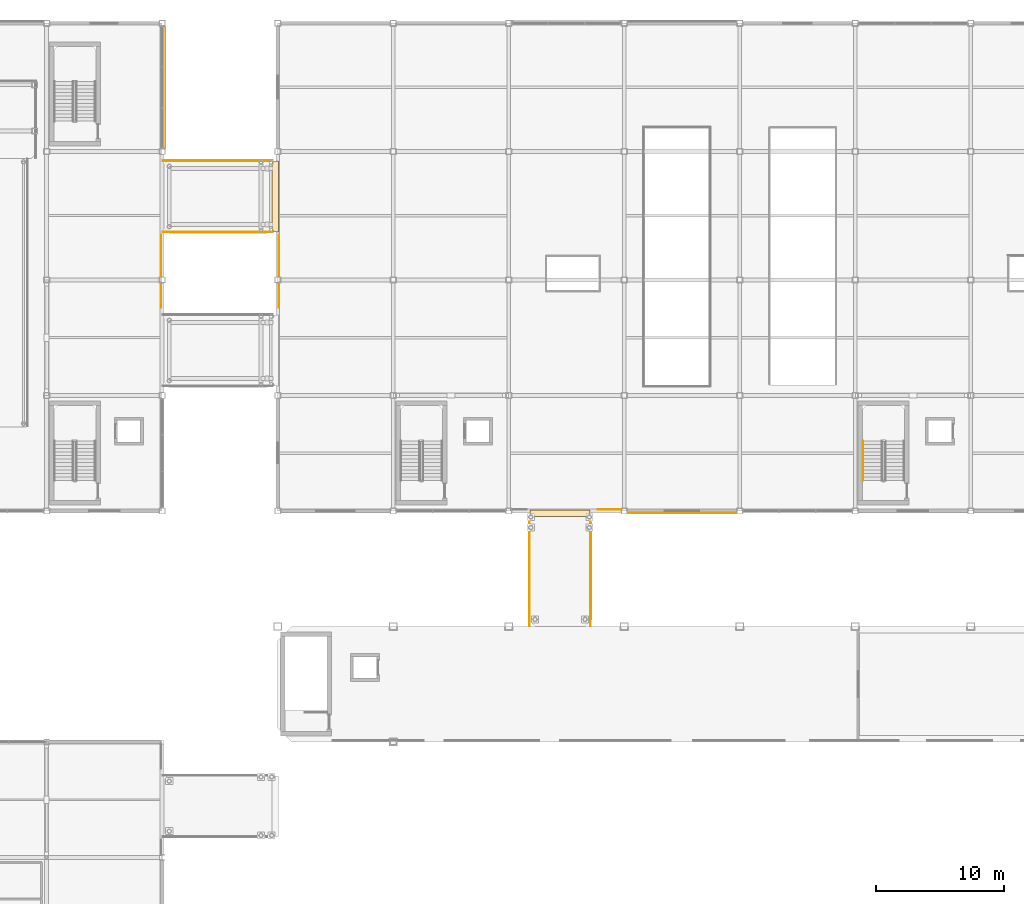
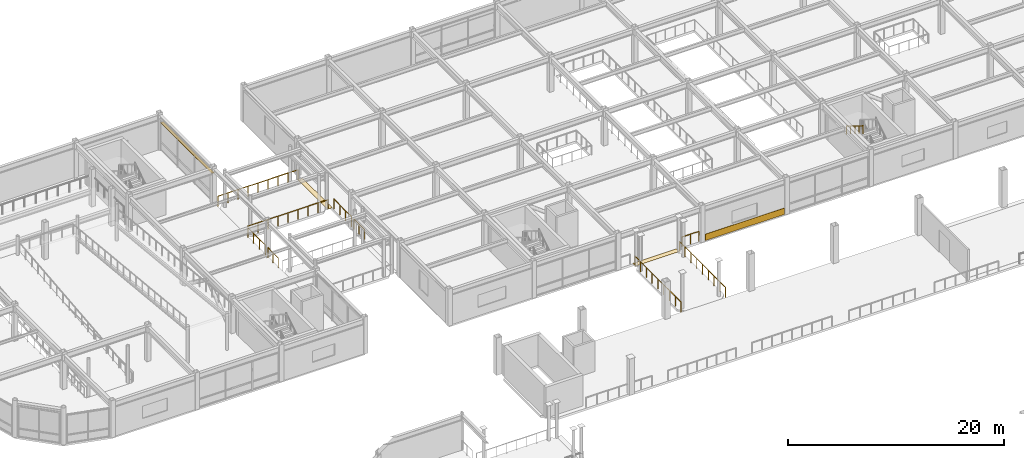
# One storey, part 96 of 105: 10 railings, 3 coverings, 1 shading device.
"""IFC4 building model written with IfcOpenShell, lengths in metres."""

from ifc_helpers import new_model, si_unit, direction, frame, origin, origin_2d, place, context, subcontext, project, spatial, polyline, rectangle, circle, outline, extrude, material, layer, layer_set, material_profile, profile_set, type_object, element, save


model = new_model("IFC4")

# Units and contexts
model_context = context("Model", 3, precision=1e-05, world=origin(), true_north=direction((0.0, 1.0)))
body_context = subcontext(model_context, "Body", "Model", "MODEL_VIEW")
ifc_project = project(units=[si_unit("LENGTHUNIT", "METRE"), si_unit("AREAUNIT", "SQUARE_METRE"), si_unit("VOLUMEUNIT", "CUBIC_METRE"), si_unit("PLANEANGLEUNIT", "RADIAN"), si_unit("MASSUNIT", "GRAM", prefix="KILO")], contexts=[model_context])

# Site, building, storey
site_placement = place(None, origin())
site = spatial("IfcSite", under=ifc_project, at=site_placement, CompositionType="ELEMENT")
building_placement = place(site_placement, origin())
building = spatial("IfcBuilding", under=site, at=building_placement, Name="Suzunagisa Mobility Hub", CompositionType="ELEMENT")
storey_placement = place(building_placement, frame((0.0, 0.0, 5.10009765625)))
storey = spatial("IfcBuildingStorey", under=building, at=storey_placement, Name="L01", CompositionType="ELEMENT", Elevation=5.10009765625)

# Coverings
ifc_material_1 = material(Name="Polished Aggregate Terrazzo Finish")
ifc_layer_1 = layer(ifc_material_1, 0.02001953125)
ifc_layer_set_1 = layer_set([ifc_layer_1], Name="Polished Aggregate Terrazzo Finish")
covering_type_1 = type_object("IfcCoveringType", Name="Polished Terrazzo Heavy-Traffic Flooring FLR-01", PredefinedType="FLOORING", material=ifc_layer_set_1)
covering_1_placement = place(storey_placement, frame((0.0, 0.0, -0.02001953125)))
element("IfcCovering", 1, at=covering_1_placement, inside=storey, type_object=covering_type_1, Name="L01 Flush Hinged Seismic Threshold Plate SB-02", PredefinedType="FLOORING", context=body_context, shape_type="SweptSolid", body=[
    extrude(outline(polyline([(64.64990234375, 79.570068359375), (69.35009765625, 79.570068359375), (69.35009765625, 80.080078125), (64.64990234375, 80.080078125), (64.64990234375, 79.570068359375)])), origin(), (0.0, 0.0, 1.0), 0.02001953125),
])
covering_2_placement = place(storey_placement, frame((0.0, 0.0, -0.02001953125)))
element("IfcCovering", 2, at=covering_2_placement, inside=storey, type_object=covering_type_1, Name="L01 Flush Hinged Seismic Threshold Plate VRL-L01-N", PredefinedType="FLOORING", context=body_context, shape_type="SweptSolid", body=[
    extrude(outline(polyline([(44.570068359375, 101.75), (45.080078125, 101.75), (45.080078125, 107.25), (44.570068359375, 107.25), (44.570068359375, 101.75)])), origin(), (0.0, 0.0, 1.0), 0.02001953125),
])
ifc_material_2 = material(Name="Vitreous Porcelain Enamel Aluminum Cladding", Category="aluminium")
ifc_layer_2 = layer(ifc_material_2, 0.034912109375)
ifc_layer_set_2 = layer_set([ifc_layer_2], Name="Vitreous Porcelain Enamel Aluminum Cladding")
covering_type_2 = type_object("IfcCoveringType", Name="Porcelain Enamel Spandrel Cladding Band CLD-01", PredefinedType="CLADDING", material=ifc_layer_set_2)
covering_3_placement = place(storey_placement, frame((76.5, 79.83251953125, 0.06005859375), z_axis=(0.0, 0.0, 1.0), x_axis=(1.0, 0.0, 0.0)))
element("IfcCovering", 3, at=covering_3_placement, inside=storey, type_object=covering_type_2, Name="L01 Porcelain Spandrel Cladding Band CLD-16", PredefinedType="CLADDING", context=body_context, shape_type="SweptSolid", body=[
    extrude(rectangle(XDim=8.449951171875, YDim=0.034912109375, at=origin_2d()), origin(), (0.0, 0.0, 1.0), 0.719970703125),
])

# Shading device
ifc_material_3 = material(Name="Fluoropolymer-Coated Extruded Aluminum 6063-T5", Category="aluminium")
ifc_material_profile = material_profile(ifc_material_3, rectangle(XDim=0.280029296875, YDim=0.044921875, at=origin_2d()), Name="FIN-280x45")
ifc_profile_set = profile_set([ifc_material_profile], Name="Fluoropolymer-Coated Extruded Aluminum 6063-T5")
shading_device_type = type_object("IfcShadingDeviceType", Name="Streamline Aluminum Sunshade SF-03 FIN-280x45", PredefinedType="USERDEFINED", material=ifc_profile_set)
shading_device_placement = place(storey_placement, frame((36.107421875, 108.2548828125, 3.099853515625), z_axis=(0.0, 1.0, 0.0), x_axis=(-1.0, 0.0, 0.0)))
element("IfcShadingDevice", 4, at=shading_device_placement, inside=storey, type_object=shading_device_type, Name="L01 Streamline Speed-Rail Sunshade Fin SF-13", ObjectType="SUNSHADE FIN", PredefinedType="USERDEFINED", context=body_context, shape_type="SweptSolid", body=[
    extrude(rectangle(XDim=0.280029296875, YDim=0.044921875, at=origin_2d()), origin(), (0.0, 0.0, 1.0), 9.490234375),
])

# Railings
ifc_material_4 = material(Name="Anodized Aluminum and Stainless Steel SUS316", Category="metal")
railing_type_1 = type_object("IfcRailingType", Name="Streamline Ship-Deck Tubular Balustrade BL-01", PredefinedType="BALUSTRADE", material=ifc_material_4)
railing_1_placement = place(storey_placement, frame((35.89990234375, 95.85009765625, 0.0)))
element("IfcRailing", 5, at=railing_1_placement, inside=storey, type_object=railing_type_1, Name="L01 Skybridge Threshold Side Guardrail BSG-3", PredefinedType="BALUSTRADE", context=body_context, shape_type="SweptSolid", body=[
    extrude(circle(Radius=0.02392578125, at=origin_2d()), frame((0.0, 0.0, 1.11572265625), z_axis=(0.0, 1.0, 0.0), x_axis=(-1.0, 0.0, 0.0)), (0.0, 0.0, 1.0), 1.9248046875),
    extrude(circle(Radius=0.02099609375, at=origin_2d()), origin(), (0.0, 0.0, 1.0), 1.091796875),
    extrude(circle(Radius=0.02099609375, at=origin_2d()), frame((0.0, 0.96240234375, 0.0)), (0.0, 0.0, 1.0), 1.091796875),
    extrude(circle(Radius=0.02099609375, at=origin_2d()), frame((0.0, 1.9248046875, 0.0)), (0.0, 0.0, 1.0), 1.091796875),
])
railing_2_placement = place(storey_placement, frame((35.89990234375, 98.22509765625, 0.0)))
element("IfcRailing", 6, at=railing_2_placement, inside=storey, type_object=railing_type_1, Name="L01 Skybridge Threshold Side Guardrail BSG-4", PredefinedType="BALUSTRADE", context=body_context, shape_type="SweptSolid", body=[
    extrude(circle(Radius=0.02392578125, at=origin_2d()), frame((0.0, 0.0, 1.11572265625), z_axis=(0.0, 1.0, 0.0), x_axis=(-1.0, 0.0, 0.0)), (0.0, 0.0, 1.0), 3.2548828125),
    extrude(circle(Radius=0.02099609375, at=origin_2d()), origin(), (0.0, 0.0, 1.0), 1.091796875),
    extrude(circle(Radius=0.02099609375, at=origin_2d()), frame((0.0, 1.0849609375, 0.0)), (0.0, 0.0, 1.0), 1.091796875),
    extrude(circle(Radius=0.02099609375, at=origin_2d()), frame((0.0, 2.169921875, 0.0)), (0.0, 0.0, 1.0), 1.091796875),
    extrude(circle(Radius=0.02099609375, at=origin_2d()), frame((0.0, 3.2548828125, 0.0)), (0.0, 0.0, 1.0), 1.091796875),
])
railing_3_placement = place(storey_placement, frame((69.949951171875, 80.10009765625, 0.0)))
element("IfcRailing", 7, at=railing_3_placement, inside=storey, type_object=railing_type_1, Name="L01 Skybridge Threshold Side Guardrail BSG-12", PredefinedType="BALUSTRADE", context=body_context, shape_type="SweptSolid", body=[
    extrude(circle(Radius=0.02392578125, at=origin_2d()), frame((0.0, 0.0, 1.11572265625), z_axis=(1.0, 0.0, 0.0), x_axis=(0.0, 1.0, 0.0)), (0.0, 0.0, 1.0), 1.824951171875),
    extrude(circle(Radius=0.02099609375, at=origin_2d()), origin(), (0.0, 0.0, 1.0), 1.091796875),
    extrude(circle(Radius=0.02099609375, at=origin_2d()), frame((0.91259765625, 0.0, 0.0)), (0.0, 0.0, 1.0), 1.091796875),
    extrude(circle(Radius=0.02099609375, at=origin_2d()), frame((1.824951171875, 0.0, 0.0)), (0.0, 0.0, 1.0), 1.091796875),
])
railing_4_placement = place(storey_placement, frame((45.10009765625, 101.47998046875, 0.0)))
element("IfcRailing", 8, at=railing_4_placement, inside=storey, type_object=railing_type_1, Name="L01 Skybridge Threshold Side Guardrail BSG-13", PredefinedType="BALUSTRADE", context=body_context, shape_type="SweptSolid", body=[
    extrude(circle(Radius=0.02392578125, at=origin_2d()), frame((0.0, 0.0, 1.11572265625), z_axis=(0.0, -1.0, 0.0), x_axis=(1.0, 0.0, 0.0)), (0.0, 0.0, 1.0), 3.2548828125),
    extrude(circle(Radius=0.02099609375, at=origin_2d()), origin(), (0.0, 0.0, 1.0), 1.091796875),
    extrude(circle(Radius=0.02099609375, at=origin_2d()), frame((0.0, -1.0849609375, 0.0)), (0.0, 0.0, 1.0), 1.091796875),
    extrude(circle(Radius=0.02099609375, at=origin_2d()), frame((0.0, -2.169921875, 0.0)), (0.0, 0.0, 1.0), 1.091796875),
    extrude(circle(Radius=0.02099609375, at=origin_2d()), frame((0.0, -3.2548828125, 0.0)), (0.0, 0.0, 1.0), 1.091796875),
])
railing_5_placement = place(storey_placement, frame((45.10009765625, 97.77490234375, 0.0)))
element("IfcRailing", 9, at=railing_5_placement, inside=storey, type_object=railing_type_1, Name="L01 Skybridge Threshold Side Guardrail BSG-14", PredefinedType="BALUSTRADE", context=body_context, shape_type="SweptSolid", body=[
    extrude(circle(Radius=0.02392578125, at=origin_2d()), frame((0.0, 0.0, 1.11572265625), z_axis=(0.0, -1.0, 0.0), x_axis=(1.0, 0.0, 0.0)), (0.0, 0.0, 1.0), 1.9248046875),
    extrude(circle(Radius=0.02099609375, at=origin_2d()), origin(), (0.0, 0.0, 1.0), 1.091796875),
    extrude(circle(Radius=0.02099609375, at=origin_2d()), frame((0.0, -0.96240234375, 0.0)), (0.0, 0.0, 1.0), 1.091796875),
    extrude(circle(Radius=0.02099609375, at=origin_2d()), frame((0.0, -1.9248046875, 0.0)), (0.0, 0.0, 1.0), 1.091796875),
])
for number, where, name in (
    (10, (64.6201171875, 71.050048828125, 0.0), "L01 Bridge Edge Guardrail SB-02-61"),
    (11, (69.3798828125, 71.050048828125, 0.0), "L01 Bridge Edge Guardrail SB-02-62"),
):
    element("IfcRailing", number, at=place(storey_placement, frame(where)), inside=storey, type_object=railing_type_1, Name=name, PredefinedType="BALUSTRADE", context=body_context, shape_type="SweptSolid", body=[
        extrude(circle(Radius=0.02392578125, at=origin_2d()), frame((0.0, 0.0, 1.11572265625), z_axis=(0.0, 1.0, 0.0), x_axis=(-1.0, 0.0, 0.0)), (0.0, 0.0, 1.0), 8.550048828125),
        extrude(circle(Radius=0.02099609375, at=origin_2d()), origin(), (0.0, 0.0, 1.0), 1.091796875),
        extrude(circle(Radius=0.02099609375, at=origin_2d()), frame((0.0, 1.06884765625, 0.0)), (0.0, 0.0, 1.0), 1.091796875),
        extrude(circle(Radius=0.02099609375, at=origin_2d()), frame((0.0, 2.137451171875, 0.0)), (0.0, 0.0, 1.0), 1.091796875),
        extrude(circle(Radius=0.02099609375, at=origin_2d()), frame((0.0, 3.206298828125, 0.0)), (0.0, 0.0, 1.0), 1.091796875),
        extrude(circle(Radius=0.02099609375, at=origin_2d()), frame((0.0, 4.27490234375, 0.0)), (0.0, 0.0, 1.0), 1.091796875),
        extrude(circle(Radius=0.02099609375, at=origin_2d()), frame((0.0, 5.34375, 0.0)), (0.0, 0.0, 1.0), 1.091796875),
        extrude(circle(Radius=0.02099609375, at=origin_2d()), frame((0.0, 6.41259765625, 0.0)), (0.0, 0.0, 1.0), 1.091796875),
        extrude(circle(Radius=0.02099609375, at=origin_2d()), frame((0.0, 7.481201171875, 0.0)), (0.0, 0.0, 1.0), 1.091796875),
        extrude(circle(Radius=0.02099609375, at=origin_2d()), frame((0.0, 8.550048828125, 0.0)), (0.0, 0.0, 1.0), 1.091796875),
    ])
ifc_material_5 = material(Name="Stainless Steel SUS316", Category="metal")
railing_type_2 = type_object("IfcRailingType", Name="Terrace Stainless Steel Guardrail GR-01", PredefinedType="GUARDRAIL", material=ifc_material_5)
for number, where, name in (
    (12, (36.050048828125, 101.719970703125, 0.0), "L01 Bridge Edge Guardrail VRL-L01-N-77"),
    (13, (36.050048828125, 107.280029296875, 0.0), "L01 Bridge Edge Guardrail VRL-L01-N-78"),
):
    element("IfcRailing", number, at=place(storey_placement, frame(where)), inside=storey, type_object=railing_type_2, Name=name, PredefinedType="GUARDRAIL", context=body_context, shape_type="SweptSolid", body=[
        extrude(circle(Radius=0.02392578125, at=origin_2d()), frame((0.0, 0.0, 1.09619140625), z_axis=(1.0, 0.0, 0.0), x_axis=(0.0, 1.0, 0.0)), (0.0, 0.0, 1.0), 8.550048828125),
        extrude(circle(Radius=0.02099609375, at=origin_2d()), origin(), (0.0, 0.0, 1.0), 1.072021484375),
        extrude(circle(Radius=0.02099609375, at=origin_2d()), frame((1.06884765625, 0.0, 0.0)), (0.0, 0.0, 1.0), 1.072021484375),
        extrude(circle(Radius=0.02099609375, at=origin_2d()), frame((2.137451171875, 0.0, 0.0)), (0.0, 0.0, 1.0), 1.072021484375),
        extrude(circle(Radius=0.02099609375, at=origin_2d()), frame((3.206298828125, 0.0, 0.0)), (0.0, 0.0, 1.0), 1.072021484375),
        extrude(circle(Radius=0.02099609375, at=origin_2d()), frame((4.27490234375, 0.0, 0.0)), (0.0, 0.0, 1.0), 1.072021484375),
        extrude(circle(Radius=0.02099609375, at=origin_2d()), frame((5.34375, 0.0, 0.0)), (0.0, 0.0, 1.0), 1.072021484375),
        extrude(circle(Radius=0.02099609375, at=origin_2d()), frame((6.41259765625, 0.0, 0.0)), (0.0, 0.0, 1.0), 1.072021484375),
        extrude(circle(Radius=0.02099609375, at=origin_2d()), frame((7.481201171875, 0.0, 0.0)), (0.0, 0.0, 1.0), 1.072021484375),
        extrude(circle(Radius=0.02099609375, at=origin_2d()), frame((8.550048828125, 0.0, 0.0)), (0.0, 0.0, 1.0), 1.072021484375),
    ])
ifc_material_6 = material(Name="Stainless Steel SUS304", Category="metal")
railing_type_3 = type_object("IfcRailingType", Name="Tubular Stainless Stair Handrail IHR-01", PredefinedType="HANDRAIL", material=ifc_material_6)
railing_6_placement = place(storey_placement, frame((90.610107421875, 85.43994140625, 2.27490234375)))
element("IfcRailing", 14, at=railing_6_placement, inside=storey, type_object=railing_type_3, Name="L01 ST-08 stair handrail 2", PredefinedType="HANDRAIL", context=body_context, shape_type="SweptSolid", body=[
    extrude(circle(Radius=0.02392578125, at=origin_2d()), frame((0.0, 0.0, 0.8759765625), z_axis=(0.0, -0.847979421464, 0.530029150871), x_axis=(1.0, 0.0, 0.0)), (0.0, 0.0, 1.0), 3.632080078125),
    extrude(circle(Radius=0.02099609375, at=origin_2d()), origin(), (0.0, 0.0, 1.0), 0.851806640625),
    extrude(circle(Radius=0.02099609375, at=origin_2d()), frame((0.0, -0.77001953125, 0.481201171875)), (0.0, 0.0, 1.0), 0.851806640625),
    extrude(circle(Radius=0.02099609375, at=origin_2d()), frame((0.0, -1.5400390625, 0.96240234375)), (0.0, 0.0, 1.0), 0.851806640625),
    extrude(circle(Radius=0.02099609375, at=origin_2d()), frame((0.0, -2.309814453125, 1.44384765625)), (0.0, 0.0, 1.0), 0.851806640625),
    extrude(circle(Radius=0.02099609375, at=origin_2d()), frame((0.0, -3.079833984375, 1.925048828125)), (0.0, 0.0, 1.0), 0.851806640625),
])

save(model, "model.ifc")
